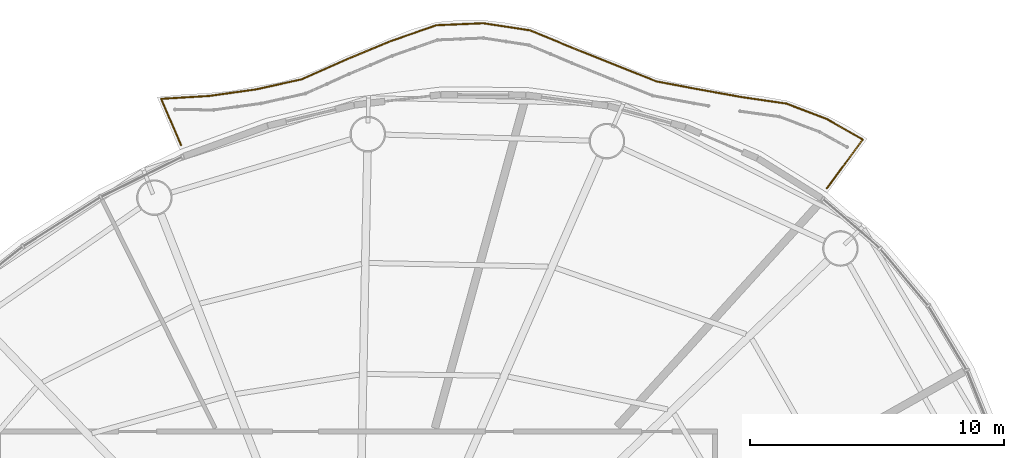
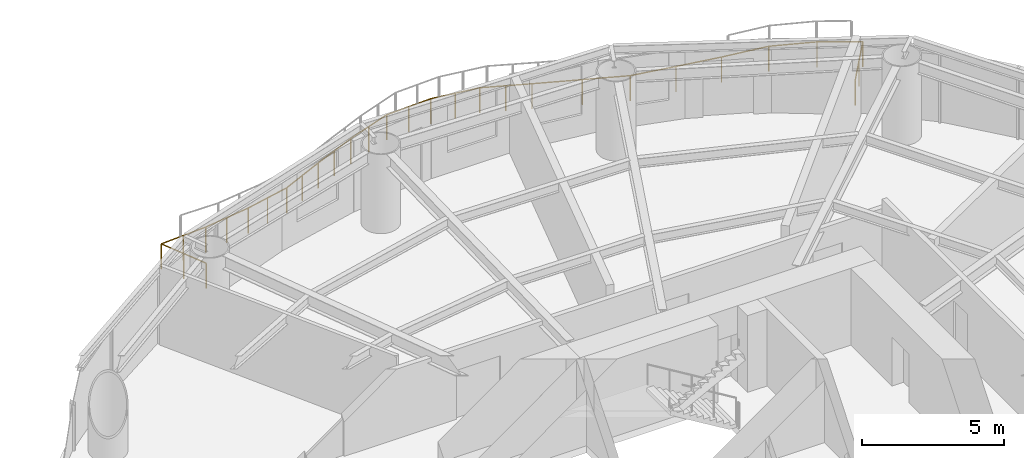
# One storey, part 15 of 15: 1 railing.
"""IFC4 building model written with IfcOpenShell, lengths in metres."""

from ifc_helpers import new_model, si_unit, direction, frame, origin, origin_2d, place, context, subcontext, project, spatial, circle, extrude, material, type_object, element, save


model = new_model("IFC4")

# Units and contexts
model_context = context("Model", 3, precision=1e-05, world=origin(), true_north=direction((0.0, 1.0)))
body_context = subcontext(model_context, "Body", "Model", "MODEL_VIEW")
ifc_project = project(units=[si_unit("LENGTHUNIT", "METRE"), si_unit("AREAUNIT", "SQUARE_METRE"), si_unit("VOLUMEUNIT", "CUBIC_METRE"), si_unit("PLANEANGLEUNIT", "RADIAN"), si_unit("MASSUNIT", "GRAM", prefix="KILO")], contexts=[model_context])

# Site, building, storey
site_placement = place(None, origin())
site = spatial("IfcSite", under=ifc_project, at=site_placement, CompositionType="ELEMENT")
building_placement = place(site_placement, origin())
building = spatial("IfcBuilding", under=site, at=building_placement, Name="Vermilion Reach Broadcast Tower", CompositionType="ELEMENT")
storey_placement = place(building_placement, frame((0.0, 0.0, 175.800048828125)))
storey = spatial("IfcBuildingStorey", under=building, at=storey_placement, Name="L42", CompositionType="ELEMENT", Elevation=175.800048828125)

# Railing
ifc_material = material(Name="Stainless steel 316 balustrade", Category="steel")
railing_type = type_object("IfcRailingType", Name="Balcony guard 1100", PredefinedType="BALUSTRADE", material=ifc_material)
railing_placement = place(storey_placement, frame((12.49755859375, 20.6728515625, 0.0)))
element("IfcRailing", 1, at=railing_placement, inside=storey, type_object=railing_type, Name="Balcony guard L42 group 1", PredefinedType="BALUSTRADE", context=body_context, shape_type="SweptSolid", body=[
    extrude(circle(Radius=0.02490234375, at=origin_2d()), frame((0.0, 0.0, 1.0751953125), z_axis=(0.593479686501, 0.804848968261, 0.0), x_axis=(-0.804848968261, 0.593479686501, 0.0)), (0.0, 0.0, 1.0), 2.37353515625),
    extrude(circle(Radius=0.02490234375, at=origin_2d()), frame((1.40869140625, 1.910400390625, 1.0751953125), z_axis=(-0.867729317791, 0.497037051984, 0.0), x_axis=(-0.497037051984, -0.867729317791, 0.0)), (0.0, 0.0, 1.0), 1.609619140625),
    extrude(circle(Radius=0.02490234375, at=origin_2d()), frame((0.011962890625, 2.71044921875, 1.0751953125), z_axis=(-0.933910067142, 0.357508022974, 0.0), x_axis=(-0.357508022974, -0.933910067142, 0.0)), (0.0, 0.0, 1.0), 1.724365234375),
    extrude(circle(Radius=0.02490234375, at=origin_2d()), frame((-1.598388671875, 3.326904296875, 1.0751953125), z_axis=(-0.98959952565, 0.143849848221, 0.0), x_axis=(-0.143849848221, -0.98959952565, 0.0)), (0.0, 0.0, 1.0), 1.787109375),
    extrude(circle(Radius=0.02490234375, at=origin_2d()), frame((-3.366943359375, 3.583984375, 1.0751953125), z_axis=(-0.984132766423, 0.177433644085, 0.0), x_axis=(-0.177433644085, -0.984132766423, 0.0)), (0.0, 0.0, 1.0), 1.7021484375),
    extrude(circle(Radius=0.02490234375, at=origin_2d()), frame((-5.0419921875, 3.885986328125, 1.0751953125), z_axis=(-0.982715875834, 0.185120251143, 0.0), x_axis=(-0.185120251143, -0.982715875834, 0.0)), (0.0, 0.0, 1.0), 1.701171875),
    extrude(circle(Radius=0.02490234375, at=origin_2d()), frame((-6.7138671875, 4.200927734375, 1.0751953125), z_axis=(-0.928654241023, 0.370946492947, 0.0), x_axis=(-0.370946492947, -0.928654241023, 0.0)), (0.0, 0.0, 1.0), 1.7060546875),
    extrude(circle(Radius=0.02490234375, at=origin_2d()), frame((-8.298095703125, 4.833740234375, 1.0751953125), z_axis=(-0.928138277361, 0.372235594881, 0.0), x_axis=(-0.372235594881, -0.928138277361, 0.0)), (0.0, 0.0, 1.0), 1.793212890625),
    extrude(circle(Radius=0.02490234375, at=origin_2d()), frame((-9.96240234375, 5.501220703125, 1.0751953125), z_axis=(-0.924631725571, 0.38086240569, 0.0), x_axis=(-0.38086240569, -0.924631725571, 0.0)), (0.0, 0.0, 1.0), 1.853759765625),
    extrude(circle(Radius=0.02490234375, at=origin_2d()), frame((-11.676513671875, 6.207275390625, 1.0751953125), z_axis=(-0.988640953848, 0.150296588032, 0.0), x_axis=(-0.150296588032, -0.988640953848, 0.0)), (0.0, 0.0, 1.0), 1.85498046875),
    extrude(circle(Radius=0.02490234375, at=origin_2d()), frame((-13.510498046875, 6.486083984375, 1.0751953125), z_axis=(-0.999127549708, -0.041762895191, 0.0), x_axis=(0.041762895191, -0.999127549708, 0.0)), (0.0, 0.0, 1.0), 1.841552734375),
    extrude(circle(Radius=0.02490234375, at=origin_2d()), frame((-15.350341796875, 6.4091796875, 1.0751953125), z_axis=(-0.945056963462, -0.326905698654, 0.0), x_axis=(0.326905698654, -0.945056963462, 0.0)), (0.0, 0.0, 1.0), 1.923828125),
    extrude(circle(Radius=0.02490234375, at=origin_2d()), frame((-17.16845703125, 5.7802734375, 1.0751953125), z_axis=(-0.923359408786, -0.383936716408, 0.0), x_axis=(0.383936716408, -0.923359408786, 0.0)), (0.0, 0.0, 1.0), 1.890380859375),
    extrude(circle(Radius=0.02490234375, at=origin_2d()), frame((-18.9140625, 5.054443359375, 1.0751953125), z_axis=(-0.913421544561, -0.407014842398, 0.0), x_axis=(0.407014842398, -0.913421544561, 0.0)), (0.0, 0.0, 1.0), 1.886474609375),
    extrude(circle(Radius=0.02490234375, at=origin_2d()), frame((-20.63720703125, 4.28662109375, 1.0751953125), z_axis=(-0.976180796085, -0.216958644344, 0.0), x_axis=(0.216958644344, -0.976180796085, 0.0)), (0.0, 0.0, 1.0), 1.834228515625),
    extrude(circle(Radius=0.02490234375, at=origin_2d()), frame((-22.427734375, 3.888671875, 1.0751953125), z_axis=(-0.990348083553, -0.138602573579, 0.0), x_axis=(0.138602573579, -0.990348083553, 0.0)), (0.0, 0.0, 1.0), 1.904052734375),
    extrude(circle(Radius=0.02490234375, at=origin_2d()), frame((-24.3134765625, 3.624755859375, 1.0751953125), z_axis=(-0.998256768262, -0.059020544049, 0.0), x_axis=(0.059020544049, -0.998256768262, 0.0)), (0.0, 0.0, 1.0), 1.86962890625),
    extrude(circle(Radius=0.02490234375, at=origin_2d()), frame((-26.179931640625, 3.514404296875, 1.0751953125), z_axis=(0.392640180529, -0.919692170584, 0.0), x_axis=(0.919692170584, 0.392640180529, 0.0)), (0.0, 0.0, 1.0), 1.981689453125),
    extrude(circle(Radius=0.02490234375, at=origin_2d()), origin(), (0.0, 0.0, 1.0), 1.050048828125),
    extrude(circle(Radius=0.02490234375, at=origin_2d()), frame((0.704345703125, 0.955078125, 0.0)), (0.0, 0.0, 1.0), 1.050048828125),
    extrude(circle(Radius=0.02490234375, at=origin_2d()), frame((1.40869140625, 1.910400390625, 0.0)), (0.0, 0.0, 1.0), 1.050048828125),
    extrude(circle(Radius=0.02490234375, at=origin_2d()), frame((0.011962890625, 2.71044921875, 0.0)), (0.0, 0.0, 1.0), 1.050048828125),
    extrude(circle(Radius=0.02490234375, at=origin_2d()), frame((-1.598388671875, 3.326904296875, 0.0)), (0.0, 0.0, 1.0), 1.050048828125),
    extrude(circle(Radius=0.02490234375, at=origin_2d()), frame((-3.366943359375, 3.583984375, 0.0)), (0.0, 0.0, 1.0), 1.050048828125),
    extrude(circle(Radius=0.02490234375, at=origin_2d()), frame((-5.0419921875, 3.885986328125, 0.0)), (0.0, 0.0, 1.0), 1.050048828125),
    extrude(circle(Radius=0.02490234375, at=origin_2d()), frame((-6.7138671875, 4.200927734375, 0.0)), (0.0, 0.0, 1.0), 1.050048828125),
    extrude(circle(Radius=0.02490234375, at=origin_2d()), frame((-8.298095703125, 4.833740234375, 0.0)), (0.0, 0.0, 1.0), 1.050048828125),
    extrude(circle(Radius=0.02490234375, at=origin_2d()), frame((-9.96240234375, 5.501220703125, 0.0)), (0.0, 0.0, 1.0), 1.050048828125),
    extrude(circle(Radius=0.02490234375, at=origin_2d()), frame((-10.8193359375, 5.854248046875, 0.0)), (0.0, 0.0, 1.0), 1.050048828125),
    extrude(circle(Radius=0.02490234375, at=origin_2d()), frame((-11.676513671875, 6.207275390625, 0.0)), (0.0, 0.0, 1.0), 1.050048828125),
    extrude(circle(Radius=0.02490234375, at=origin_2d()), frame((-12.593505859375, 6.3466796875, 0.0)), (0.0, 0.0, 1.0), 1.050048828125),
    extrude(circle(Radius=0.02490234375, at=origin_2d()), frame((-13.510498046875, 6.486083984375, 0.0)), (0.0, 0.0, 1.0), 1.050048828125),
    extrude(circle(Radius=0.02490234375, at=origin_2d()), frame((-14.430419921875, 6.44775390625, 0.0)), (0.0, 0.0, 1.0), 1.050048828125),
    extrude(circle(Radius=0.02490234375, at=origin_2d()), frame((-15.350341796875, 6.4091796875, 0.0)), (0.0, 0.0, 1.0), 1.050048828125),
    extrude(circle(Radius=0.02490234375, at=origin_2d()), frame((-16.25927734375, 6.0947265625, 0.0)), (0.0, 0.0, 1.0), 1.050048828125),
    extrude(circle(Radius=0.02490234375, at=origin_2d()), frame((-17.16845703125, 5.7802734375, 0.0)), (0.0, 0.0, 1.0), 1.050048828125),
    extrude(circle(Radius=0.02490234375, at=origin_2d()), frame((-18.041259765625, 5.41748046875, 0.0)), (0.0, 0.0, 1.0), 1.050048828125),
    extrude(circle(Radius=0.02490234375, at=origin_2d()), frame((-18.9140625, 5.054443359375, 0.0)), (0.0, 0.0, 1.0), 1.050048828125),
    extrude(circle(Radius=0.02490234375, at=origin_2d()), frame((-19.775634765625, 4.67041015625, 0.0)), (0.0, 0.0, 1.0), 1.050048828125),
    extrude(circle(Radius=0.02490234375, at=origin_2d()), frame((-20.63720703125, 4.28662109375, 0.0)), (0.0, 0.0, 1.0), 1.050048828125),
    extrude(circle(Radius=0.02490234375, at=origin_2d()), frame((-21.532470703125, 4.087646484375, 0.0)), (0.0, 0.0, 1.0), 1.050048828125),
    extrude(circle(Radius=0.02490234375, at=origin_2d()), frame((-22.427734375, 3.888671875, 0.0)), (0.0, 0.0, 1.0), 1.050048828125),
    extrude(circle(Radius=0.02490234375, at=origin_2d()), frame((-23.37060546875, 3.7568359375, 0.0)), (0.0, 0.0, 1.0), 1.050048828125),
    extrude(circle(Radius=0.02490234375, at=origin_2d()), frame((-24.3134765625, 3.624755859375, 0.0)), (0.0, 0.0, 1.0), 1.050048828125),
    extrude(circle(Radius=0.02490234375, at=origin_2d()), frame((-25.24658203125, 3.569580078125, 0.0)), (0.0, 0.0, 1.0), 1.050048828125),
    extrude(circle(Radius=0.02490234375, at=origin_2d()), frame((-26.179931640625, 3.514404296875, 0.0)), (0.0, 0.0, 1.0), 1.050048828125),
    extrude(circle(Radius=0.02490234375, at=origin_2d()), frame((-25.791015625, 2.60302734375, 0.0)), (0.0, 0.0, 1.0), 1.050048828125),
    extrude(circle(Radius=0.02490234375, at=origin_2d()), frame((-25.40185546875, 1.69189453125, 0.0)), (0.0, 0.0, 1.0), 1.050048828125),
])

save(model, "model.ifc")
